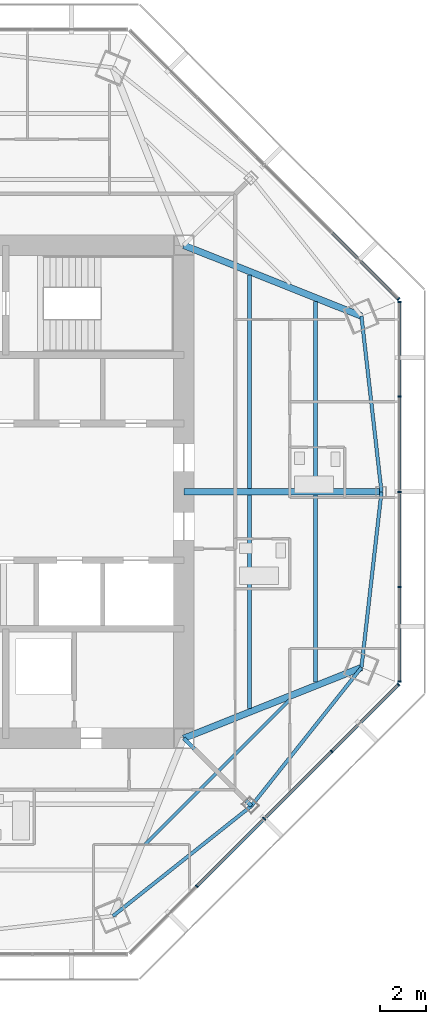
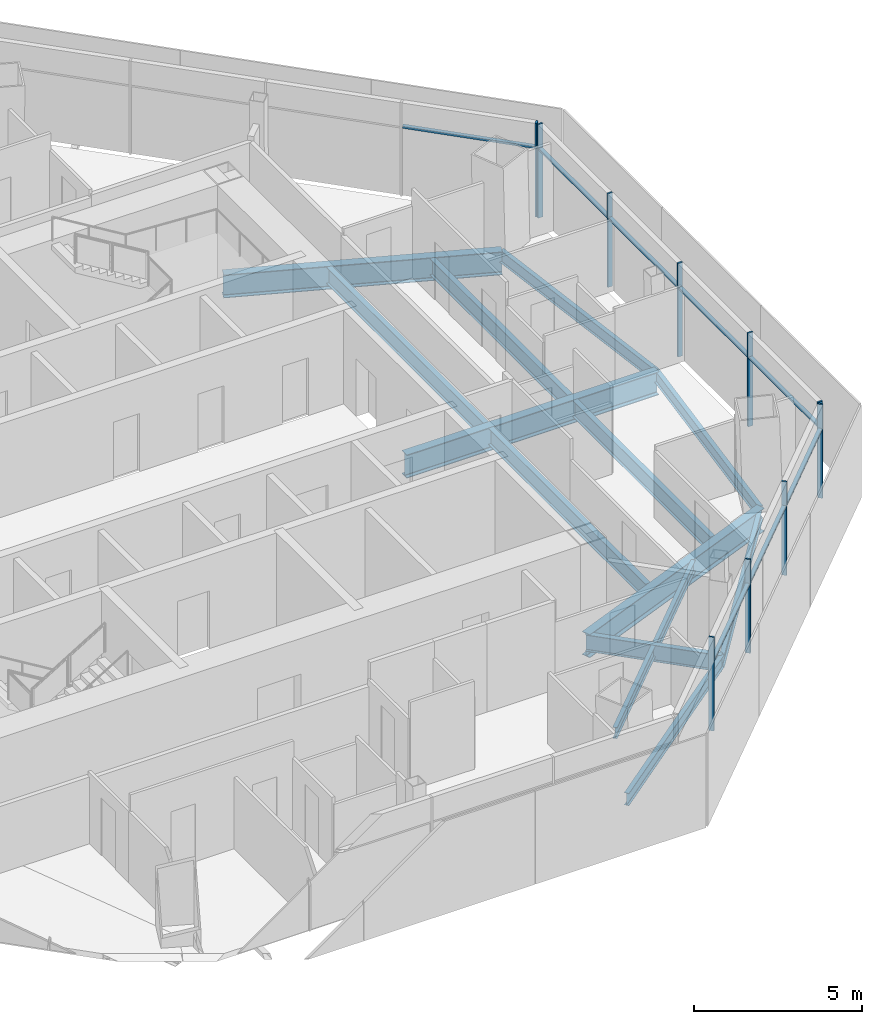
# One storey, part 5 of 15: 18 members, 14 beams, 3 elements without a shape of their own.
"""IFC4 building model written with IfcOpenShell, lengths in metres."""

from ifc_helpers import new_model, si_unit, direction, frame, origin, origin_2d, place, context, subcontext, project, spatial, rectangle, i_section, extrude, source, transform, mapped, material, material_profile, profile_set, type_object, type_shapes, element, aggregate, save


model = new_model("IFC4")

# Units and contexts
model_context = context("Model", 3, precision=1e-05, world=origin(), true_north=direction((0.0, 1.0)))
body_context = subcontext(model_context, "Body", "Model", "MODEL_VIEW")
ifc_project = project(units=[si_unit("LENGTHUNIT", "METRE"), si_unit("AREAUNIT", "SQUARE_METRE"), si_unit("VOLUMEUNIT", "CUBIC_METRE"), si_unit("PLANEANGLEUNIT", "RADIAN"), si_unit("MASSUNIT", "GRAM", prefix="KILO")], contexts=[model_context])

# Site, building, storey
site_placement = place(None, origin())
site = spatial("IfcSite", under=ifc_project, at=site_placement, CompositionType="ELEMENT")
building_placement = place(site_placement, origin())
building = spatial("IfcBuilding", under=site, at=building_placement, Name="Mashrafa Tower", CompositionType="ELEMENT")
storey_placement = place(building_placement, frame((0.0, 0.0, 274.199951171875)))
storey = spatial("IfcBuildingStorey", under=building, at=storey_placement, Name="L66", CompositionType="ELEMENT", Elevation=274.199951171875)

# Beams
ifc_material_1 = material(Name="Steel ASTM A992", Category="steel")
ifc_material_profile_1 = material_profile(ifc_material_1, i_section(OverallWidth=0.140380859375, OverallDepth=0.40380859375, WebThickness=0.007080078125, FlangeThickness=0.01123046875, FilletRadius=0.01025390625, at=origin_2d()), Name="W16X31")
ifc_profile_set_1 = profile_set([ifc_material_profile_1], Name="Steel ASTM A992")
beam_type_1 = type_object("IfcBeamType", Name="Beam W16X31", PredefinedType="BEAM", material=ifc_profile_set_1)
for number, where, z_axis, x_axis, name in (
    (1, (12.218505859375, -12.344482421875, -0.40185546875), (-0.707134452808, -0.707079108482, 0.0), (0.707079108482, -0.707134452808, 0.0), "Floor beam L66 018"),
    (2, (15.463623046875, -9.09912109375, -0.40185546875), (-0.707079108482, -0.707134452808, 0.0), (0.707134452808, -0.707079108482, 0.0), "Floor beam L66 022"),
):
    element("IfcBeam", number, at=place(storey_placement, frame(where, z_axis=z_axis, x_axis=x_axis)), inside=storey, type_object=beam_type_1, Name=name, PredefinedType="BEAM", context=body_context, shape_type="SweptSolid", body=[
        extrude(i_section(OverallWidth=0.140380859375, OverallDepth=0.40380859375, WebThickness=0.007080078125, FlangeThickness=0.01123046875, FilletRadius=0.01025390625, at=origin_2d()), origin(), (0.0, 0.0, 1.0), 4.411376953125),
    ])
ifc_material_2 = material(Name="Steel ASTM A992", Category="steel")
ifc_material_profile_2 = material_profile(ifc_material_2, i_section(OverallWidth=0.15234375, OverallDepth=0.449462890625, WebThickness=0.007568359375, FlangeThickness=0.0107421875, FilletRadius=0.01025390625, at=origin_2d()), Name="W18X35")
ifc_profile_set_2 = profile_set([ifc_material_profile_2], Name="Steel ASTM A992")
beam_type_2 = type_object("IfcBeamType", Name="Beam W18X35", PredefinedType="BEAM", material=ifc_profile_set_2)
for number, where, z_axis, x_axis, name in (
    (3, (7.6982421875, -18.58544921875, -0.4248046875), (0.782706752919, 0.622390664241, 0.0), (-0.622390664241, 0.782706752919, 0.0), "Spandrel beam L66 050"),
    (4, (13.762939453125, -13.762939453125, -0.4248046875), (0.622390664241, 0.782706752919, 0.0), (-0.782706752919, 0.622390664241, 0.0), "Spandrel beam L66 052"),
    (5, (18.58544921875, -7.6982421875, -0.4248046875), (0.113339530152, 0.993556314914, 0.0), (-0.993556314914, 0.113339530152, 0.0), "Spandrel beam L66 054"),
    (6, (19.463623046875, 0.0, -0.4248046875), (-0.113339530152, 0.993556314914, 0.0), (-0.993556314914, -0.113339530152, 0.0), "Spandrel beam L66 056"),
):
    element("IfcBeam", number, at=place(storey_placement, frame(where, z_axis=z_axis, x_axis=x_axis)), inside=storey, type_object=beam_type_2, Name=name, PredefinedType="BEAM", context=body_context, shape_type="SweptSolid", body=[
        extrude(i_section(OverallWidth=0.15234375, OverallDepth=0.449462890625, WebThickness=0.007568359375, FlangeThickness=0.0107421875, FilletRadius=0.01025390625, at=origin_2d()), origin(), (0.0, 0.0, 1.0), 7.748291015625),
    ])
ifc_material_3 = material(Name="Steel ASTM A992", Category="steel")
ifc_material_profile_3 = material_profile(ifc_material_3, i_section(OverallWidth=0.177978515625, OverallDepth=0.599365234375, WebThickness=0.010009765625, FlangeThickness=0.012939453125, FilletRadius=0.012939453125, at=origin_2d()), Name="W24X55")
ifc_profile_set_3 = profile_set([ifc_material_profile_3], Name="Steel ASTM A992")
beam_type_3 = type_object("IfcBeamType", Name="Beam W24X55", PredefinedType="BEAM", material=ifc_profile_set_3)
for number, where, z_axis, x_axis, name in (
    (7, (13.68798828125, -0.14599609375, -0.499755859375), (0.0, -1.0, 0.0), (1.0, 0.0, 0.0), "Floor beam L66 020"),
    (8, (13.68798828125, 9.4921875, -0.499755859375), (0.0, -1.0, 0.0), (1.0, 0.0, 0.0), "Floor beam L66 021"),
):
    element("IfcBeam", number, at=place(storey_placement, frame(where, z_axis=z_axis, x_axis=x_axis)), inside=storey, type_object=beam_type_3, Name=name, PredefinedType="BEAM", context=body_context, shape_type="SweptSolid", body=[
        extrude(i_section(OverallWidth=0.177978515625, OverallDepth=0.599365234375, WebThickness=0.010009765625, FlangeThickness=0.012939453125, FilletRadius=0.012939453125, at=origin_2d()), origin(), (0.0, 0.0, 1.0), 9.34619140625),
    ])
for number, where, z_axis, x_axis, name in (
    (9, (16.57568359375, -0.14599609375, -0.499755859375), (0.0, -1.0, 0.0), (1.0, 0.0, 0.0), "Floor beam L66 023"),
    (10, (16.57568359375, 8.341796875, -0.499755859375), (0.0, -1.0, 0.0), (1.0, 0.0, 0.0), "Floor beam L66 024"),
):
    element("IfcBeam", number, at=place(storey_placement, frame(where, z_axis=z_axis, x_axis=x_axis)), inside=storey, type_object=beam_type_3, Name=name, PredefinedType="BEAM", context=body_context, shape_type="SweptSolid", body=[
        extrude(i_section(OverallWidth=0.177978515625, OverallDepth=0.599365234375, WebThickness=0.010009765625, FlangeThickness=0.012939453125, FilletRadius=0.012939453125, at=origin_2d()), origin(), (0.0, 0.0, 1.0), 8.19580078125),
    ])
beam_1_placement = place(storey_placement, frame((10.800048828125, -10.800048828125, -0.499755859375), z_axis=(0.707106781187, -0.707106781187, 0.0), x_axis=(0.707106781187, 0.707106781187, 0.0)))
element("IfcBeam", 11, at=beam_1_placement, inside=storey, type_object=beam_type_3, Name="Radial girder L66 035", PredefinedType="BEAM", context=body_context, shape_type="SweptSolid", body=[
    extrude(i_section(OverallWidth=0.177978515625, OverallDepth=0.599365234375, WebThickness=0.010009765625, FlangeThickness=0.012939453125, FilletRadius=0.012939453125, at=origin_2d()), origin(), (0.0, 0.0, 1.0), 4.190185546875),
])
ifc_material_4 = material(Name="Steel ASTM A992", Category="steel")
ifc_material_profile_4 = material_profile(ifc_material_4, i_section(OverallWidth=0.2919921875, OverallDepth=0.8408203125, WebThickness=0.0146484375, FlangeThickness=0.021728515625, FilletRadius=0.017333984375, at=origin_2d()), Name="W33X130")
ifc_profile_set_4 = profile_set([ifc_material_profile_4], Name="Steel ASTM A992")
beam_type_4 = type_object("IfcBeamType", Name="Beam W33X130", PredefinedType="BEAM", material=ifc_profile_set_4)
for number, where, z_axis, x_axis, name in (
    (12, (10.800048828125, -10.800048828125, -0.620361328125), (0.928984121052, 0.370119579101, 0.0), (-0.370119579101, 0.928984121052, 0.0), "Radial girder L66 036"),
    (13, (10.800048828125, 10.800048828125, -0.620361328125), (0.928984121052, -0.370119579101, 0.0), (0.370119579101, 0.928984121052, 0.0), "Radial girder L66 040"),
):
    element("IfcBeam", number, at=place(storey_placement, frame(where, z_axis=z_axis, x_axis=x_axis)), inside=storey, type_object=beam_type_4, Name=name, PredefinedType="BEAM", context=body_context, shape_type="SweptSolid", body=[
        extrude(i_section(OverallWidth=0.2919921875, OverallDepth=0.8408203125, WebThickness=0.0146484375, FlangeThickness=0.021728515625, FilletRadius=0.017333984375, at=origin_2d()), origin(), (0.0, 0.0, 1.0), 8.380615234375),
    ])
ifc_material_5 = material(Name="Steel ASTM A992", Category="steel")
ifc_material_profile_5 = material_profile(ifc_material_5, i_section(OverallWidth=0.2919921875, OverallDepth=0.845703125, WebThickness=0.015380859375, FlangeThickness=0.0244140625, FilletRadius=0.017333984375, at=origin_2d()), Name="W33X141")
ifc_profile_set_5 = profile_set([ifc_material_profile_5], Name="Steel ASTM A992")
beam_type_5 = type_object("IfcBeamType", Name="Beam W33X141", PredefinedType="BEAM", material=ifc_profile_set_5)
beam_2_placement = place(storey_placement, frame((10.800048828125, 0.0, -0.622802734375), z_axis=(1.0, 0.0, 0.0), x_axis=(0.0, 1.0, 0.0)))
element("IfcBeam", 14, at=beam_2_placement, inside=storey, type_object=beam_type_5, Name="Radial girder L66 037", PredefinedType="BEAM", context=body_context, shape_type="SweptSolid", body=[
    extrude(i_section(OverallWidth=0.2919921875, OverallDepth=0.845703125, WebThickness=0.015380859375, FlangeThickness=0.0244140625, FilletRadius=0.017333984375, at=origin_2d()), origin(), (0.0, 0.0, 1.0), 8.66357421875),
])

# Curtain wall, members
ifc_material_6 = material(Name="Unitised aluminium curtain wall", Category="aluminium")
curtain_wall_type = type_object("IfcCurtainWallType", Name="Apartment curtain wall, zone 4 CW-D 160 deep", PredefinedType="NOTDEFINED", material=ifc_material_6)
curtain_wall_1_placement = place(storey_placement, origin())
curtain_wall_1 = element("IfcCurtainWall", 15, at=curtain_wall_1_placement, inside=storey, type_object=curtain_wall_type, Name="Apartment curtain wall, zone 4 L66 east", PredefinedType="NOTDEFINED")
ifc_material_7 = material(Name="Extruded aluminium mullion", Category="aluminium")
ifc_material_profile_6 = material_profile(ifc_material_7, rectangle(XDim=0.159912109375, YDim=0.06005859375, at=origin_2d()), Name="Mullion 60x160")
ifc_profile_set_6 = profile_set([ifc_material_profile_6], Name="Extruded aluminium mullion")
member_type_1 = type_object("IfcMemberType", Name="Mullion CW-D 60 x 160", PredefinedType="MULLION", material=ifc_profile_set_6)
shared_shape_1 = source(origin(), body_context, "Body", "SweptSolid", [
    extrude(rectangle(XDim=0.159912109375, YDim=0.06005859375, at=origin_2d()), origin(), (0.0, 0.0, 1.0), 3.400146484375),
])
type_shapes(member_type_1, [shared_shape_1])
member_1_placement = place(storey_placement, frame((20.258056640625, -8.318115234375, 0.0), z_axis=(0.0, 0.0, 1.0), x_axis=(-1.0, 0.0, 0.0)))
member_1 = element("IfcMember", 16, at=member_1_placement, type_object=member_type_1, Name="CW-D mullion 1", PredefinedType="MULLION", context=body_context, shape_type="MappedRepresentation", body=[
    mapped(shared_shape_1, transform((0.0, 0.0, 0.0))),
])
member_2_placement = place(storey_placement, frame((20.258056640625, -4.174072265625, 0.0), z_axis=(0.0, 0.0, 1.0), x_axis=(-1.0, 0.0, 0.0)))
member_2 = element("IfcMember", 17, at=member_2_placement, type_object=member_type_1, Name="CW-D mullion 2", PredefinedType="MULLION", context=body_context, shape_type="MappedRepresentation", body=[
    mapped(shared_shape_1, transform((0.0, 0.0, 0.0))),
])
member_3_placement = place(storey_placement, frame((20.258056640625, 0.0, 0.0), z_axis=(0.0, 0.0, 1.0), x_axis=(-1.0, 0.0, 0.0)))
member_3 = element("IfcMember", 18, at=member_3_placement, type_object=member_type_1, Name="CW-D mullion 3", PredefinedType="MULLION", context=body_context, shape_type="MappedRepresentation", body=[
    mapped(shared_shape_1, transform((0.0, 0.0, 0.0))),
])
member_4_placement = place(storey_placement, frame((20.258056640625, 4.174072265625, 0.0), z_axis=(0.0, 0.0, 1.0), x_axis=(-1.0, 0.0, 0.0)))
member_4 = element("IfcMember", 19, at=member_4_placement, type_object=member_type_1, Name="CW-D mullion 4", PredefinedType="MULLION", context=body_context, shape_type="MappedRepresentation", body=[
    mapped(shared_shape_1, transform((0.0, 0.0, 0.0))),
])
member_5_placement = place(storey_placement, frame((20.258056640625, 8.318115234375, 0.0), z_axis=(0.0, 0.0, 1.0), x_axis=(-1.0, 0.0, 0.0)))
member_5 = element("IfcMember", 20, at=member_5_placement, type_object=member_type_1, Name="CW-D mullion 5", PredefinedType="MULLION", context=body_context, shape_type="MappedRepresentation", body=[
    mapped(shared_shape_1, transform((0.0, 0.0, 0.0))),
])

# Curtain wall, member
curtain_wall_2_placement = place(storey_placement, origin())
curtain_wall_2 = element("IfcCurtainWall", 21, at=curtain_wall_2_placement, inside=storey, type_object=curtain_wall_type, Name="Apartment curtain wall, zone 4 L66 north-east", PredefinedType="NOTDEFINED")
member_6_placement = place(storey_placement, frame((20.206298828125, 8.44287109375, 0.0), z_axis=(0.0, 0.0, 1.0), x_axis=(-0.707106781187, -0.707106781187, 0.0)))
member_6 = element("IfcMember", 22, at=member_6_placement, type_object=member_type_1, Name="CW-D mullion 1", PredefinedType="MULLION", context=body_context, shape_type="MappedRepresentation", body=[
    mapped(shared_shape_1, transform((0.0, 0.0, 0.0))),
])

# Curtain wall, members
curtain_wall_3_placement = place(storey_placement, origin())
curtain_wall_3 = element("IfcCurtainWall", 23, at=curtain_wall_3_placement, inside=storey, type_object=curtain_wall_type, Name="Apartment curtain wall, zone 4 L66 south-east", PredefinedType="NOTDEFINED")
member_7_placement = place(storey_placement, frame((11.373046875, -17.276123046875, 0.0), z_axis=(0.0, 0.0, 1.0), x_axis=(-0.707106781187, 0.707106781187, 0.0)))
member_7 = element("IfcMember", 24, at=member_7_placement, type_object=member_type_1, Name="CW-D mullion 2", PredefinedType="MULLION", context=body_context, shape_type="MappedRepresentation", body=[
    mapped(shared_shape_1, transform((0.0, 0.0, 0.0))),
])
member_8_placement = place(storey_placement, frame((14.324462890625, -14.324462890625, 0.0), z_axis=(0.0, 0.0, 1.0), x_axis=(-0.707106781187, 0.707106781187, 0.0)))
member_8 = element("IfcMember", 25, at=member_8_placement, type_object=member_type_1, Name="CW-D mullion 3", PredefinedType="MULLION", context=body_context, shape_type="MappedRepresentation", body=[
    mapped(shared_shape_1, transform((0.0, 0.0, 0.0))),
])
member_9_placement = place(storey_placement, frame((17.276123046875, -11.373046875, 0.0), z_axis=(0.0, 0.0, 1.0), x_axis=(-0.707106781187, 0.707106781187, 0.0)))
member_9 = element("IfcMember", 26, at=member_9_placement, type_object=member_type_1, Name="CW-D mullion 4", PredefinedType="MULLION", context=body_context, shape_type="MappedRepresentation", body=[
    mapped(shared_shape_1, transform((0.0, 0.0, 0.0))),
])
member_10_placement = place(storey_placement, frame((20.206298828125, -8.44287109375, 0.0), z_axis=(0.0, 0.0, 1.0), x_axis=(-0.707106781187, 0.707106781187, 0.0)))
member_10 = element("IfcMember", 27, at=member_10_placement, type_object=member_type_1, Name="CW-D mullion 5", PredefinedType="MULLION", context=body_context, shape_type="MappedRepresentation", body=[
    mapped(shared_shape_1, transform((0.0, 0.0, 0.0))),
])

# Member
ifc_material_8 = material(Name="Extruded aluminium transom", Category="aluminium")
ifc_material_profile_7 = material_profile(ifc_material_8, rectangle(XDim=0.1279296875, YDim=0.074951171875, at=origin_2d()), Name="Transom 75x128")
ifc_profile_set_7 = profile_set([ifc_material_profile_7], Name="Extruded aluminium transom")
member_type_2 = type_object("IfcMemberType", Name="Transom CW-D 75 x 128", PredefinedType="MULLION", material=ifc_profile_set_7)
shared_shape_2 = source(origin(), body_context, "Body", "SweptSolid", [
    extrude(rectangle(XDim=0.1279296875, YDim=0.074951171875, at=origin_2d()), origin(), (0.0, 0.0, 1.0), 4.083984375),
])
member_11_placement = place(storey_placement, frame((20.258056640625, -8.2880859375, 2.5), z_axis=(0.0, 1.0, 0.0), x_axis=(-1.0, 0.0, 0.0)))
member_11 = element("IfcMember", 28, at=member_11_placement, type_object=member_type_2, Name="CW-D transom 1", PredefinedType="MULLION", context=body_context, shape_type="MappedRepresentation", body=[
    mapped(shared_shape_2, transform((0.0, 0.0, 0.0))),
])

member_12_placement = place(storey_placement, frame((20.258056640625, 4.2041015625, 2.5), z_axis=(0.0, 1.0, 0.0), x_axis=(-1.0, 0.0, 0.0)))
member_12 = element("IfcMember", 29, at=member_12_placement, type_object=member_type_2, Name="CW-D transom 4", PredefinedType="MULLION", context=body_context, shape_type="MappedRepresentation", body=[
    mapped(shared_shape_2, transform((0.0, 0.0, 0.0))),
])

member_13_placement = place(storey_placement, frame((20.18505859375, 8.464111328125, 2.5), z_axis=(-0.707136670515, 0.707076890595, 0.0), x_axis=(-0.707076890595, -0.707136670515, 0.0)))
member_13 = element("IfcMember", 30, at=member_13_placement, type_object=member_type_2, Name="CW-D transom 1", PredefinedType="MULLION", context=body_context, shape_type="MappedRepresentation", body=[
    mapped(shared_shape_2, transform((0.0, 0.0, 0.0))),
])

aggregate(curtain_wall_2, [member_6, member_13])

member_14_placement = place(storey_placement, frame((17.297119140625, -11.351806640625, 2.5), z_axis=(0.707136670515, 0.707076890595, 0.0), x_axis=(-0.707076890595, 0.707136670515, 0.0)))
member_14 = element("IfcMember", 31, at=member_14_placement, type_object=member_type_2, Name="CW-D transom 4", PredefinedType="MULLION", context=body_context, shape_type="MappedRepresentation", body=[
    mapped(shared_shape_2, transform((0.0, 0.0, 0.0))),
])

shared_shape_3 = source(origin(), body_context, "Body", "SweptSolid", [
    extrude(rectangle(XDim=0.1279296875, YDim=0.074951171875, at=origin_2d()), origin(), (0.0, 0.0, 1.0), 4.114013671875),
])
member_15_placement = place(storey_placement, frame((20.258056640625, -4.14404296875, 2.5), z_axis=(0.0, 1.0, 0.0), x_axis=(-1.0, 0.0, 0.0)))
member_15 = element("IfcMember", 32, at=member_15_placement, type_object=member_type_2, Name="CW-D transom 2", PredefinedType="MULLION", context=body_context, shape_type="MappedRepresentation", body=[
    mapped(shared_shape_3, transform((0.0, 0.0, 0.0))),
])

member_16_placement = place(storey_placement, frame((20.258056640625, 0.030029296875, 2.5), z_axis=(0.0, 1.0, 0.0), x_axis=(-1.0, 0.0, 0.0)))
member_16 = element("IfcMember", 33, at=member_16_placement, type_object=member_type_2, Name="CW-D transom 3", PredefinedType="MULLION", context=body_context, shape_type="MappedRepresentation", body=[
    mapped(shared_shape_3, transform((0.0, 0.0, 0.0))),
])

aggregate(curtain_wall_1, [member_1, member_2, member_3, member_4, member_5, member_11, member_15, member_16, member_12])

shared_shape_4 = source(origin(), body_context, "Body", "SweptSolid", [
    extrude(rectangle(XDim=0.1279296875, YDim=0.074951171875, at=origin_2d()), origin(), (0.0, 0.0, 1.0), 4.1142578125),
])
type_shapes(member_type_2, [shared_shape_2, shared_shape_3, shared_shape_4])
member_17_placement = place(storey_placement, frame((11.394287109375, -17.2548828125, 2.5), z_axis=(0.707106781187, 0.707106781187, 0.0), x_axis=(-0.707106781187, 0.707106781187, 0.0)))
member_17 = element("IfcMember", 34, at=member_17_placement, type_object=member_type_2, Name="CW-D transom 2", PredefinedType="MULLION", context=body_context, shape_type="MappedRepresentation", body=[
    mapped(shared_shape_4, transform((0.0, 0.0, 0.0))),
])

member_18_placement = place(storey_placement, frame((14.345703125, -14.303466796875, 2.5), z_axis=(0.707106781187, 0.707106781187, 0.0), x_axis=(-0.707106781187, 0.707106781187, 0.0)))
member_18 = element("IfcMember", 35, at=member_18_placement, type_object=member_type_2, Name="CW-D transom 3", PredefinedType="MULLION", context=body_context, shape_type="MappedRepresentation", body=[
    mapped(shared_shape_4, transform((0.0, 0.0, 0.0))),
])

aggregate(curtain_wall_3, [member_7, member_8, member_9, member_10, member_17, member_18, member_14])

save(model, "model.ifc")
